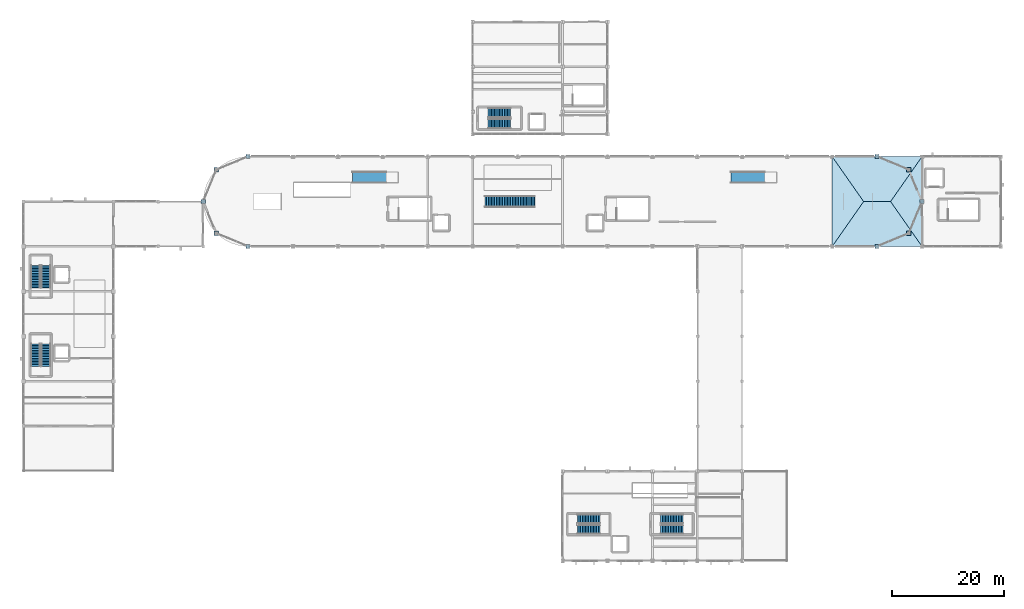
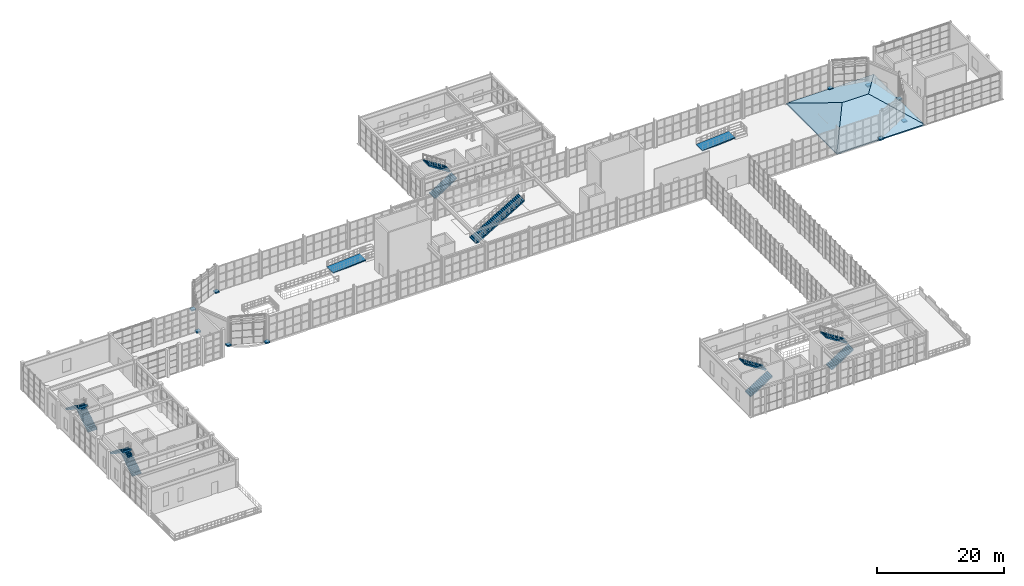
# One storey, part 71 of 82: 11 stair flights, 10 discrete accessories, 2 ramp flights, 1 roof, 8 elements without a shape of their own.
"""IFC4 building model written with IfcOpenShell, lengths in metres."""

from ifc_helpers import new_model, si_unit, direction, frame, origin, origin_2d, place, context, subcontext, project, spatial, polyline, rectangle, outline, extrude, polygons, material, layer, layer_set, type_object, element, aggregate, save


model = new_model("IFC4")

# Units and contexts
model_context = context("Model", 3, precision=1e-05, world=origin(), true_north=direction((0.0, 1.0)))
body_context = subcontext(model_context, "Body", "Model", "MODEL_VIEW")
ifc_project = project(units=[si_unit("LENGTHUNIT", "METRE"), si_unit("AREAUNIT", "SQUARE_METRE"), si_unit("VOLUMEUNIT", "CUBIC_METRE"), si_unit("PLANEANGLEUNIT", "RADIAN"), si_unit("MASSUNIT", "GRAM", prefix="KILO")], contexts=[model_context])

# Site, building, storey
site_placement = place(None, origin())
site = spatial("IfcSite", under=ifc_project, at=site_placement, CompositionType="ELEMENT")
building_placement = place(site_placement, origin())
building = spatial("IfcBuilding", under=site, at=building_placement, Name="Serraluz Foothill Cableway Terminal", CompositionType="ELEMENT")
storey_placement = place(building_placement, frame((0.0, 0.0, 9.60009765625)))
storey = spatial("IfcBuildingStorey", under=building, at=storey_placement, Name="L02", CompositionType="ELEMENT", Elevation=9.60009765625)

# Stair, stair flights
ifc_material_1 = material(Name="Concrete C35/45 (f'c 35 MPa)", Category="concrete")
stair_type_1 = type_object("IfcStairType", Name="TYP-ST-DOG-166-54", PredefinedType="HALF_TURN_STAIR", material=ifc_material_1)
stair_1_placement = place(storey_placement, origin())
stair_1 = element("IfcStair", 1, at=stair_1_placement, inside=storey, type_object=stair_type_1, Name="L02 ST-01", PredefinedType="HALF_TURN_STAIR")
stair_flight_type_1 = type_object("IfcStairFlightType", Name="TYP-FL-DOG-166-54", PredefinedType="STRAIGHT", material=ifc_material_1)
stair_flight_1_placement = place(storey_placement, frame((3.969970703125, 48.659912109375, 0.0), z_axis=(0.0, 0.0, 1.0), x_axis=(0.0, 1.0, 0.0)))
stair_flight_1 = element("IfcStairFlight", 2, at=stair_flight_1_placement, type_object=stair_flight_type_1, Name="ST-01 flight 1", NumberOfRisers=15, NumberOfTreads=14, PredefinedType="STRAIGHT", RiserHeight=0.18, TreadLength=0.285, context=body_context, shape_type="SweptSolid", body=[
    extrude(outline(polyline([(-0.02490234375, -0.06005859375), (-0.02490234375, 0.0), (0.0, 0.0), (0.0, 0.179931640625), (0.284912109375, 0.179931640625), (0.284912109375, 0.360107421875), (0.570068359375, 0.360107421875), (0.570068359375, 0.5400390625), (0.85498046875, 0.5400390625), (0.85498046875, 0.719970703125), (1.139892578125, 0.719970703125), (1.139892578125, 0.89990234375), (1.425048828125, 0.89990234375), (1.425048828125, 1.080078125), (1.7099609375, 1.080078125), (1.7099609375, 1.260009765625), (1.9951171875, 1.260009765625), (1.9951171875, 1.43994140625), (2.280029296875, 1.43994140625), (2.280029296875, 1.6201171875), (2.56494140625, 1.6201171875), (2.56494140625, 1.800048828125), (2.85009765625, 1.800048828125), (2.85009765625, 1.97998046875), (3.135009765625, 1.97998046875), (3.135009765625, 2.159912109375), (3.419921875, 2.159912109375), (3.419921875, 2.340087890625), (3.705078125, 2.340087890625), (3.705078125, 2.52001953125), (3.989990234375, 2.52001953125), (3.989990234375, 2.699951171875), (4.014892578125, 2.699951171875), (4.014892578125, 2.3427734375), (0.28076171875, -0.06005859375), (-0.02490234375, -0.06005859375)])), frame((0.0, 0.830078125, 0.0), z_axis=(0.0, -1.0, 0.0), x_axis=(1.0, 0.0, 0.0)), (0.0, 0.0, 1.0), 1.659912109375),
])
stair_flight_2_placement = place(storey_placement, frame((2.14990234375, 52.64990234375, 2.699951171875), z_axis=(0.0, 0.0, 1.0), x_axis=(0.0, -1.0, 0.0)))
stair_flight_2 = element("IfcStairFlight", 3, at=stair_flight_2_placement, type_object=stair_flight_type_1, Name="ST-01 flight 2", NumberOfRisers=15, NumberOfTreads=14, PredefinedType="STRAIGHT", RiserHeight=0.18, TreadLength=0.285, context=body_context, shape_type="SweptSolid", body=[
    extrude(outline(polyline([(-0.02490234375, -0.06005859375), (-0.02490234375, 0.0), (0.0, 0.0), (0.0, 0.179931640625), (0.284912109375, 0.179931640625), (0.284912109375, 0.360107421875), (0.570068359375, 0.360107421875), (0.570068359375, 0.5400390625), (0.85498046875, 0.5400390625), (0.85498046875, 0.719970703125), (1.139892578125, 0.719970703125), (1.139892578125, 0.89990234375), (1.425048828125, 0.89990234375), (1.425048828125, 1.080078125), (1.7099609375, 1.080078125), (1.7099609375, 1.260009765625), (1.9951171875, 1.260009765625), (1.9951171875, 1.43994140625), (2.280029296875, 1.43994140625), (2.280029296875, 1.6201171875), (2.56494140625, 1.6201171875), (2.56494140625, 1.800048828125), (2.85009765625, 1.800048828125), (2.85009765625, 1.97998046875), (3.135009765625, 1.97998046875), (3.135009765625, 2.159912109375), (3.419921875, 2.159912109375), (3.419921875, 2.340087890625), (3.705078125, 2.340087890625), (3.705078125, 2.52001953125), (3.989990234375, 2.52001953125), (3.989990234375, 2.699951171875), (4.014892578125, 2.699951171875), (4.014892578125, 2.3427734375), (0.28076171875, -0.06005859375), (-0.02490234375, -0.06005859375)])), frame((0.0, 0.830078125, 0.0), z_axis=(0.0, -1.0, 0.0), x_axis=(1.0, 0.0, 0.0)), (0.0, 0.0, 1.0), 1.659912109375),
])
aggregate(stair_1, [stair_flight_1, stair_flight_2])

stair_2_placement = place(storey_placement, origin())
stair_2 = element("IfcStair", 4, at=stair_2_placement, inside=storey, type_object=stair_type_1, Name="L02 ST-02", PredefinedType="HALF_TURN_STAIR")
stair_flight_3_placement = place(storey_placement, frame((3.969970703125, 34.659912109375, 0.0), z_axis=(0.0, 0.0, 1.0), x_axis=(0.0, 1.0, 0.0)))
stair_flight_3 = element("IfcStairFlight", 5, at=stair_flight_3_placement, type_object=stair_flight_type_1, Name="ST-02 flight 1", NumberOfRisers=15, NumberOfTreads=14, PredefinedType="STRAIGHT", RiserHeight=0.18, TreadLength=0.285, context=body_context, shape_type="SweptSolid", body=[
    extrude(outline(polyline([(-0.02490234375, -0.06005859375), (-0.02490234375, 0.0), (0.0, 0.0), (0.0, 0.179931640625), (0.284912109375, 0.179931640625), (0.284912109375, 0.360107421875), (0.570068359375, 0.360107421875), (0.570068359375, 0.5400390625), (0.85498046875, 0.5400390625), (0.85498046875, 0.719970703125), (1.139892578125, 0.719970703125), (1.139892578125, 0.89990234375), (1.425048828125, 0.89990234375), (1.425048828125, 1.080078125), (1.7099609375, 1.080078125), (1.7099609375, 1.260009765625), (1.9951171875, 1.260009765625), (1.9951171875, 1.43994140625), (2.280029296875, 1.43994140625), (2.280029296875, 1.6201171875), (2.56494140625, 1.6201171875), (2.56494140625, 1.800048828125), (2.85009765625, 1.800048828125), (2.85009765625, 1.97998046875), (3.135009765625, 1.97998046875), (3.135009765625, 2.159912109375), (3.419921875, 2.159912109375), (3.419921875, 2.340087890625), (3.705078125, 2.340087890625), (3.705078125, 2.52001953125), (3.989990234375, 2.52001953125), (3.989990234375, 2.699951171875), (4.014892578125, 2.699951171875), (4.014892578125, 2.3427734375), (0.28076171875, -0.06005859375), (-0.02490234375, -0.06005859375)])), frame((0.0, 0.830078125, 0.0), z_axis=(0.0, -1.0, 0.0), x_axis=(1.0, 0.0, 0.0)), (0.0, 0.0, 1.0), 1.659912109375),
])
stair_flight_4_placement = place(storey_placement, frame((2.14990234375, 38.64990234375, 2.699951171875), z_axis=(0.0, 0.0, 1.0), x_axis=(0.0, -1.0, 0.0)))
stair_flight_4 = element("IfcStairFlight", 6, at=stair_flight_4_placement, type_object=stair_flight_type_1, Name="ST-02 flight 2", NumberOfRisers=15, NumberOfTreads=14, PredefinedType="STRAIGHT", RiserHeight=0.18, TreadLength=0.285, context=body_context, shape_type="SweptSolid", body=[
    extrude(outline(polyline([(-0.02490234375, -0.06005859375), (-0.02490234375, 0.0), (0.0, 0.0), (0.0, 0.179931640625), (0.284912109375, 0.179931640625), (0.284912109375, 0.360107421875), (0.570068359375, 0.360107421875), (0.570068359375, 0.5400390625), (0.85498046875, 0.5400390625), (0.85498046875, 0.719970703125), (1.139892578125, 0.719970703125), (1.139892578125, 0.89990234375), (1.425048828125, 0.89990234375), (1.425048828125, 1.080078125), (1.7099609375, 1.080078125), (1.7099609375, 1.260009765625), (1.9951171875, 1.260009765625), (1.9951171875, 1.43994140625), (2.280029296875, 1.43994140625), (2.280029296875, 1.6201171875), (2.56494140625, 1.6201171875), (2.56494140625, 1.800048828125), (2.85009765625, 1.800048828125), (2.85009765625, 1.97998046875), (3.135009765625, 1.97998046875), (3.135009765625, 2.159912109375), (3.419921875, 2.159912109375), (3.419921875, 2.340087890625), (3.705078125, 2.340087890625), (3.705078125, 2.52001953125), (3.989990234375, 2.52001953125), (3.989990234375, 2.699951171875), (4.014892578125, 2.699951171875), (4.014892578125, 2.3427734375), (0.28076171875, -0.06005859375), (-0.02490234375, -0.06005859375)])), frame((0.0, 0.830078125, 0.0), z_axis=(0.0, -1.0, 0.0), x_axis=(1.0, 0.0, 0.0)), (0.0, 0.0, 1.0), 1.659912109375),
])
aggregate(stair_2, [stair_flight_3, stair_flight_4])

stair_3_placement = place(storey_placement, origin())
stair_3 = element("IfcStair", 7, at=stair_3_placement, inside=storey, type_object=stair_type_1, Name="L02 ST-06", PredefinedType="HALF_TURN_STAIR")
stair_flight_5_placement = place(storey_placement, frame((98.659912109375, 5.6298828125, 0.0), z_axis=(0.0, 0.0, 1.0), x_axis=(1.0, 0.0, 0.0)))
stair_flight_5 = element("IfcStairFlight", 8, at=stair_flight_5_placement, type_object=stair_flight_type_1, Name="ST-06 flight 1", NumberOfRisers=15, NumberOfTreads=14, PredefinedType="STRAIGHT", RiserHeight=0.18, TreadLength=0.285, context=body_context, shape_type="SweptSolid", body=[
    extrude(outline(polyline([(-0.02490234375, -0.06005859375), (-0.02490234375, 0.0), (0.0, 0.0), (0.0, 0.179931640625), (0.284912109375, 0.179931640625), (0.284912109375, 0.360107421875), (0.570068359375, 0.360107421875), (0.570068359375, 0.5400390625), (0.85498046875, 0.5400390625), (0.85498046875, 0.719970703125), (1.139892578125, 0.719970703125), (1.139892578125, 0.89990234375), (1.425048828125, 0.89990234375), (1.425048828125, 1.080078125), (1.7099609375, 1.080078125), (1.7099609375, 1.260009765625), (1.9951171875, 1.260009765625), (1.9951171875, 1.43994140625), (2.280029296875, 1.43994140625), (2.280029296875, 1.6201171875), (2.56494140625, 1.6201171875), (2.56494140625, 1.800048828125), (2.85009765625, 1.800048828125), (2.85009765625, 1.97998046875), (3.135009765625, 1.97998046875), (3.135009765625, 2.159912109375), (3.419921875, 2.159912109375), (3.419921875, 2.340087890625), (3.705078125, 2.340087890625), (3.705078125, 2.52001953125), (3.989990234375, 2.52001953125), (3.989990234375, 2.699951171875), (4.014892578125, 2.699951171875), (4.014892578125, 2.3427734375), (0.28076171875, -0.06005859375), (-0.02490234375, -0.06005859375)])), frame((0.0, 0.830078125, 0.0), z_axis=(0.0, -1.0, 0.0), x_axis=(1.0, 0.0, 0.0)), (0.0, 0.0, 1.0), 1.659912109375),
])
stair_flight_6_placement = place(storey_placement, frame((102.64990234375, 7.449951171875, 2.699951171875), z_axis=(0.0, 0.0, 1.0), x_axis=(-1.0, 0.0, 0.0)))
stair_flight_6 = element("IfcStairFlight", 9, at=stair_flight_6_placement, type_object=stair_flight_type_1, Name="ST-06 flight 2", NumberOfRisers=15, NumberOfTreads=14, PredefinedType="STRAIGHT", RiserHeight=0.18, TreadLength=0.285, context=body_context, shape_type="SweptSolid", body=[
    extrude(outline(polyline([(-0.02490234375, -0.06005859375), (-0.02490234375, 0.0), (0.0, 0.0), (0.0, 0.179931640625), (0.284912109375, 0.179931640625), (0.284912109375, 0.360107421875), (0.570068359375, 0.360107421875), (0.570068359375, 0.5400390625), (0.85498046875, 0.5400390625), (0.85498046875, 0.719970703125), (1.139892578125, 0.719970703125), (1.139892578125, 0.89990234375), (1.425048828125, 0.89990234375), (1.425048828125, 1.080078125), (1.7099609375, 1.080078125), (1.7099609375, 1.260009765625), (1.9951171875, 1.260009765625), (1.9951171875, 1.43994140625), (2.280029296875, 1.43994140625), (2.280029296875, 1.6201171875), (2.56494140625, 1.6201171875), (2.56494140625, 1.800048828125), (2.85009765625, 1.800048828125), (2.85009765625, 1.97998046875), (3.135009765625, 1.97998046875), (3.135009765625, 2.159912109375), (3.419921875, 2.159912109375), (3.419921875, 2.340087890625), (3.705078125, 2.340087890625), (3.705078125, 2.52001953125), (3.989990234375, 2.52001953125), (3.989990234375, 2.699951171875), (4.014892578125, 2.699951171875), (4.014892578125, 2.3427734375), (0.28076171875, -0.06005859375), (-0.02490234375, -0.06005859375)])), frame((0.0, 0.830078125, 0.0), z_axis=(0.0, -1.0, 0.0), x_axis=(1.0, 0.0, 0.0)), (0.0, 0.0, 1.0), 1.659912109375),
])
aggregate(stair_3, [stair_flight_5, stair_flight_6])

stair_4_placement = place(storey_placement, origin())
stair_4 = element("IfcStair", 10, at=stair_4_placement, inside=storey, type_object=stair_type_1, Name="L02 ST-07", PredefinedType="HALF_TURN_STAIR")
stair_flight_7_placement = place(storey_placement, frame((113.4599609375, 5.6298828125, 0.0), z_axis=(0.0, 0.0, 1.0), x_axis=(1.0, 0.0, 0.0)))
stair_flight_7 = element("IfcStairFlight", 11, at=stair_flight_7_placement, type_object=stair_flight_type_1, Name="ST-07 flight 1", NumberOfRisers=15, NumberOfTreads=14, PredefinedType="STRAIGHT", RiserHeight=0.18, TreadLength=0.285, context=body_context, shape_type="SweptSolid", body=[
    extrude(outline(polyline([(-0.02490234375, -0.06005859375), (-0.02490234375, 0.0), (0.0, 0.0), (0.0, 0.179931640625), (0.284912109375, 0.179931640625), (0.284912109375, 0.360107421875), (0.570068359375, 0.360107421875), (0.570068359375, 0.5400390625), (0.85498046875, 0.5400390625), (0.85498046875, 0.719970703125), (1.139892578125, 0.719970703125), (1.139892578125, 0.89990234375), (1.425048828125, 0.89990234375), (1.425048828125, 1.080078125), (1.7099609375, 1.080078125), (1.7099609375, 1.260009765625), (1.9951171875, 1.260009765625), (1.9951171875, 1.43994140625), (2.280029296875, 1.43994140625), (2.280029296875, 1.6201171875), (2.56494140625, 1.6201171875), (2.56494140625, 1.800048828125), (2.85009765625, 1.800048828125), (2.85009765625, 1.97998046875), (3.135009765625, 1.97998046875), (3.135009765625, 2.159912109375), (3.419921875, 2.159912109375), (3.419921875, 2.340087890625), (3.705078125, 2.340087890625), (3.705078125, 2.52001953125), (3.989990234375, 2.52001953125), (3.989990234375, 2.699951171875), (4.014892578125, 2.699951171875), (4.014892578125, 2.3427734375), (0.28076171875, -0.06005859375), (-0.02490234375, -0.06005859375)])), frame((0.0, 0.830078125, 0.0), z_axis=(0.0, -1.0, 0.0), x_axis=(1.0, 0.0, 0.0)), (0.0, 0.0, 1.0), 1.659912109375),
])
stair_flight_8_placement = place(storey_placement, frame((117.449951171875, 7.449951171875, 2.699951171875), z_axis=(0.0, 0.0, 1.0), x_axis=(-1.0, 0.0, 0.0)))
stair_flight_8 = element("IfcStairFlight", 12, at=stair_flight_8_placement, type_object=stair_flight_type_1, Name="ST-07 flight 2", NumberOfRisers=15, NumberOfTreads=14, PredefinedType="STRAIGHT", RiserHeight=0.18, TreadLength=0.285, context=body_context, shape_type="SweptSolid", body=[
    extrude(outline(polyline([(-0.02490234375, -0.06005859375), (-0.02490234375, 0.0), (0.0, 0.0), (0.0, 0.179931640625), (0.284912109375, 0.179931640625), (0.284912109375, 0.360107421875), (0.570068359375, 0.360107421875), (0.570068359375, 0.5400390625), (0.85498046875, 0.5400390625), (0.85498046875, 0.719970703125), (1.139892578125, 0.719970703125), (1.139892578125, 0.89990234375), (1.425048828125, 0.89990234375), (1.425048828125, 1.080078125), (1.7099609375, 1.080078125), (1.7099609375, 1.260009765625), (1.9951171875, 1.260009765625), (1.9951171875, 1.43994140625), (2.280029296875, 1.43994140625), (2.280029296875, 1.6201171875), (2.56494140625, 1.6201171875), (2.56494140625, 1.800048828125), (2.85009765625, 1.800048828125), (2.85009765625, 1.97998046875), (3.135009765625, 1.97998046875), (3.135009765625, 2.159912109375), (3.419921875, 2.159912109375), (3.419921875, 2.340087890625), (3.705078125, 2.340087890625), (3.705078125, 2.52001953125), (3.989990234375, 2.52001953125), (3.989990234375, 2.699951171875), (4.014892578125, 2.699951171875), (4.014892578125, 2.3427734375), (0.28076171875, -0.06005859375), (-0.02490234375, -0.06005859375)])), frame((0.0, 0.830078125, 0.0), z_axis=(0.0, -1.0, 0.0), x_axis=(1.0, 0.0, 0.0)), (0.0, 0.0, 1.0), 1.659912109375),
])
aggregate(stair_4, [stair_flight_7, stair_flight_8])

stair_type_2 = type_object("IfcStairType", Name="TYP-ST-DOG-176-54", PredefinedType="HALF_TURN_STAIR", material=ifc_material_1)
stair_5_placement = place(storey_placement, origin())
stair_5 = element("IfcStair", 13, at=stair_5_placement, inside=storey, type_object=stair_type_2, Name="L02 ST-08", PredefinedType="HALF_TURN_STAIR")
stair_flight_type_2 = type_object("IfcStairFlightType", Name="TYP-FL-DOG-176-54", PredefinedType="STRAIGHT", material=ifc_material_1)
stair_flight_9_placement = place(storey_placement, frame((82.760009765625, 77.8798828125, 0.0), z_axis=(0.0, 0.0, 1.0), x_axis=(1.0, 0.0, 0.0)))
stair_flight_9 = element("IfcStairFlight", 14, at=stair_flight_9_placement, type_object=stair_flight_type_2, Name="ST-08 flight 1", NumberOfRisers=15, NumberOfTreads=14, PredefinedType="STRAIGHT", RiserHeight=0.18, TreadLength=0.285, context=body_context, shape_type="SweptSolid", body=[
    extrude(outline(polyline([(-0.02490234375, -0.06005859375), (-0.02490234375, 0.0), (0.0, 0.0), (0.0, 0.179931640625), (0.284912109375, 0.179931640625), (0.284912109375, 0.360107421875), (0.570068359375, 0.360107421875), (0.570068359375, 0.5400390625), (0.85498046875, 0.5400390625), (0.85498046875, 0.719970703125), (1.139892578125, 0.719970703125), (1.139892578125, 0.89990234375), (1.425048828125, 0.89990234375), (1.425048828125, 1.080078125), (1.7099609375, 1.080078125), (1.7099609375, 1.260009765625), (1.9951171875, 1.260009765625), (1.9951171875, 1.43994140625), (2.280029296875, 1.43994140625), (2.280029296875, 1.6201171875), (2.56494140625, 1.6201171875), (2.56494140625, 1.800048828125), (2.85009765625, 1.800048828125), (2.85009765625, 1.97998046875), (3.135009765625, 1.97998046875), (3.135009765625, 2.159912109375), (3.419921875, 2.159912109375), (3.419921875, 2.340087890625), (3.705078125, 2.340087890625), (3.705078125, 2.52001953125), (3.989990234375, 2.52001953125), (3.989990234375, 2.699951171875), (4.014892578125, 2.699951171875), (4.014892578125, 2.3427734375), (0.28076171875, -0.06005859375), (-0.02490234375, -0.06005859375)])), frame((0.0, 0.8798828125, 0.0), z_axis=(0.0, -1.0, 0.0), x_axis=(1.0, 0.0, 0.0)), (0.0, 0.0, 1.0), 1.760009765625),
])
stair_flight_10_placement = place(storey_placement, frame((86.75, 79.800048828125, 2.699951171875), z_axis=(0.0, 0.0, 1.0), x_axis=(-1.0, 0.0, 0.0)))
stair_flight_10 = element("IfcStairFlight", 15, at=stair_flight_10_placement, type_object=stair_flight_type_2, Name="ST-08 flight 2", NumberOfRisers=15, NumberOfTreads=14, PredefinedType="STRAIGHT", RiserHeight=0.18, TreadLength=0.285, context=body_context, shape_type="SweptSolid", body=[
    extrude(outline(polyline([(-0.02490234375, -0.06005859375), (-0.02490234375, 0.0), (0.0, 0.0), (0.0, 0.179931640625), (0.284912109375, 0.179931640625), (0.284912109375, 0.360107421875), (0.570068359375, 0.360107421875), (0.570068359375, 0.5400390625), (0.85498046875, 0.5400390625), (0.85498046875, 0.719970703125), (1.139892578125, 0.719970703125), (1.139892578125, 0.89990234375), (1.425048828125, 0.89990234375), (1.425048828125, 1.080078125), (1.7099609375, 1.080078125), (1.7099609375, 1.260009765625), (1.9951171875, 1.260009765625), (1.9951171875, 1.43994140625), (2.280029296875, 1.43994140625), (2.280029296875, 1.6201171875), (2.56494140625, 1.6201171875), (2.56494140625, 1.800048828125), (2.85009765625, 1.800048828125), (2.85009765625, 1.97998046875), (3.135009765625, 1.97998046875), (3.135009765625, 2.159912109375), (3.419921875, 2.159912109375), (3.419921875, 2.340087890625), (3.705078125, 2.340087890625), (3.705078125, 2.52001953125), (3.989990234375, 2.52001953125), (3.989990234375, 2.699951171875), (4.014892578125, 2.699951171875), (4.014892578125, 2.3427734375), (0.28076171875, -0.06005859375), (-0.02490234375, -0.06005859375)])), frame((0.0, 0.8798828125, 0.0), z_axis=(0.0, -1.0, 0.0), x_axis=(1.0, 0.0, 0.0)), (0.0, 0.0, 1.0), 1.760009765625),
])
aggregate(stair_5, [stair_flight_9, stair_flight_10])

# Stair, stair flight
ifc_material_2 = material(Name="Steel ASTM A992 Grade 50", Category="steel")
stair_type_3 = type_object("IfcStairType", Name="TYP-ST-STR-200", PredefinedType="STRAIGHT_RUN_STAIR", material=ifc_material_2)
stair_6_placement = place(storey_placement, origin())
stair_6 = element("IfcStair", 16, at=stair_6_placement, inside=storey, type_object=stair_type_3, Name="Feature Straight Stair ST-F03", PredefinedType="STRAIGHT_RUN_STAIR")
stair_flight_type_3 = type_object("IfcStairFlightType", Name="TYP-FL-STR-200", PredefinedType="STRAIGHT", material=ifc_material_2)
stair_flight_11_placement = place(storey_placement, frame((82.199951171875, 64.0, 0.0), z_axis=(0.0, 0.0, 1.0), x_axis=(1.0, 0.0, 0.0)))
stair_flight_11 = element("IfcStairFlight", 17, at=stair_flight_11_placement, type_object=stair_flight_type_3, Name="STS-200 flight 1", NumberOfRisers=32, NumberOfTreads=31, PredefinedType="STRAIGHT", RiserHeight=0.16875, TreadLength=0.284516, context=body_context, shape_type="SweptSolid", body=[
    extrude(outline(polyline([(-0.02490234375, -0.06005859375), (-0.02490234375, 0.0), (0.0, 0.0), (0.0, 0.168701171875), (0.284423828125, 0.168701171875), (0.284423828125, 0.33740234375), (0.569091796875, 0.33740234375), (0.569091796875, 0.50634765625), (0.853515625, 0.50634765625), (0.853515625, 0.675048828125), (1.13818359375, 0.675048828125), (1.13818359375, 0.84375), (1.422607421875, 0.84375), (1.422607421875, 1.012451171875), (1.70703125, 1.012451171875), (1.70703125, 1.18115234375), (1.99169921875, 1.18115234375), (1.99169921875, 1.35009765625), (2.276123046875, 1.35009765625), (2.276123046875, 1.518798828125), (2.560546875, 1.518798828125), (2.560546875, 1.6875), (2.84521484375, 1.6875), (2.84521484375, 1.856201171875), (3.129638671875, 1.856201171875), (3.129638671875, 2.02490234375), (3.414306640625, 2.02490234375), (3.414306640625, 2.19384765625), (3.69873046875, 2.19384765625), (3.69873046875, 2.362548828125), (3.983154296875, 2.362548828125), (3.983154296875, 2.53125), (4.267822265625, 2.53125), (4.267822265625, 2.699951171875), (4.55224609375, 2.699951171875), (4.55224609375, 2.86865234375), (4.836669921875, 2.86865234375), (4.836669921875, 3.03759765625), (5.121337890625, 3.03759765625), (5.121337890625, 3.206298828125), (5.40576171875, 3.206298828125), (5.40576171875, 3.375), (5.6904296875, 3.375), (5.6904296875, 3.543701171875), (5.974853515625, 3.543701171875), (5.974853515625, 3.71240234375), (6.25927734375, 3.71240234375), (6.25927734375, 3.88134765625), (6.5439453125, 3.88134765625), (6.5439453125, 4.050048828125), (6.828369140625, 4.050048828125), (6.828369140625, 4.21875), (7.11279296875, 4.21875), (7.11279296875, 4.387451171875), (7.3974609375, 4.387451171875), (7.3974609375, 4.55615234375), (7.681884765625, 4.55615234375), (7.681884765625, 4.72509765625), (7.966552734375, 4.72509765625), (7.966552734375, 4.893798828125), (8.2509765625, 4.893798828125), (8.2509765625, 5.0625), (8.535400390625, 5.0625), (8.535400390625, 5.231201171875), (8.820068359375, 5.231201171875), (8.820068359375, 5.39990234375), (8.844970703125, 5.39990234375), (8.844970703125, 5.039306640625), (0.323486328125, -0.06005859375), (-0.02490234375, -0.06005859375)])), frame((0.0, 1.0, 0.0), z_axis=(0.0, -1.0, 0.0), x_axis=(1.0, 0.0, 0.0)), (0.0, 0.0, 1.0), 2.0),
])
aggregate(stair_6, [stair_flight_11])

# Ramp, ramp flight
ifc_material_3 = material(Name="Concrete C28/35 (f'c 28 MPa)", Category="concrete")
ramp_type = type_object("IfcRampType", Name="TYP-RMP-PED-200", PredefinedType="STRAIGHT_RUN_RAMP", material=ifc_material_3)
ramp_1_placement = place(storey_placement, origin())
ramp_1 = element("IfcRamp", 18, at=ramp_1_placement, inside=storey, type_object=ramp_type, Name="Departure Boarding Platform Accessible Ramp RMP-05", PredefinedType="STRAIGHT_RUN_RAMP")
ifc_layer_1 = layer(ifc_material_3, 0.199951171875, Name="Concrete C28/35 (f'c 28 MPa)", Category="concrete")
ifc_layer_set_1 = layer_set([ifc_layer_1], Name="Concrete C28/35 (f'c 28 MPa)")
ramp_flight_type = type_object("IfcRampFlightType", Name="TYP-RFL-PED-200", PredefinedType="STRAIGHT", material=ifc_layer_set_1)
ramp_flight_1_placement = place(storey_placement, frame((58.60009765625, 68.300048828125, 0.0), z_axis=(0.0, 0.0, 1.0), x_axis=(1.0, 0.0, 0.0)))
ramp_flight_1 = element("IfcRampFlight", 19, at=ramp_flight_1_placement, type_object=ramp_flight_type, Name="Departure Boarding Platform Accessible Ramp RMP-05 flight 1", PredefinedType="STRAIGHT", context=body_context, shape_type="SweptSolid", body=[
    extrude(outline(polyline([(0.0, -0.200439453125), (6.0, 0.24951171875), (6.0, 0.449951171875), (0.0, 0.0), (0.0, -0.200439453125)])), frame((0.0, 1.0, 0.0), z_axis=(0.0, -1.0, 0.0), x_axis=(1.0, 0.0, 0.0)), (0.0, 0.0, 1.0), 2.0),
])
aggregate(ramp_1, [ramp_flight_1])

ramp_2_placement = place(storey_placement, origin())
ramp_2 = element("IfcRamp", 20, at=ramp_2_placement, inside=storey, type_object=ramp_type, Name="Arrivals Alighting Platform Accessible Ramp RMP-06", PredefinedType="STRAIGHT_RUN_RAMP")
ramp_flight_2_placement = place(storey_placement, frame((126.0, 68.300048828125, 0.0), z_axis=(0.0, 0.0, 1.0), x_axis=(1.0, 0.0, 0.0)))
ramp_flight_2 = element("IfcRampFlight", 21, at=ramp_flight_2_placement, type_object=ramp_flight_type, Name="Arrivals Alighting Platform Accessible Ramp RMP-06 flight 1", PredefinedType="STRAIGHT", context=body_context, shape_type="SweptSolid", body=[
    extrude(outline(polyline([(0.0, -0.200439453125), (6.0, 0.24951171875), (6.0, 0.449951171875), (0.0, 0.0), (0.0, -0.200439453125)])), frame((0.0, 1.0, 0.0), z_axis=(0.0, -1.0, 0.0), x_axis=(1.0, 0.0, 0.0)), (0.0, 0.0, 1.0), 2.0),
])
aggregate(ramp_2, [ramp_flight_2])

# Roof
ifc_material_4 = material(Name="Standing-seam zinc-titanium roof assembly", Category="metal")
ifc_layer_2 = layer(ifc_material_4, 0.219970703125, Name="Standing-seam zinc-titanium roof assembly", Category="metal")
ifc_layer_set_2 = layer_set([ifc_layer_2], Name="Standing-seam zinc-titanium roof assembly")
roof_type = type_object("IfcRoofType", Name="TYP-RF-HIP-220", PredefinedType="HIP_ROOF", material=ifc_layer_set_2)
roof_placement = place(storey_placement, frame((144.0, 56.0, 0.0)))
element("IfcRoof", 22, at=roof_placement, inside=storey, type_object=roof_type, Name="Bullwheel Wing Hipped Roof 1", PredefinedType="HIP_ROOF", context=body_context, shape_type="Tessellation", body=[
    polygons([(0.0, 0.0, 0.0), (16.0, 0.0, 0.0), (16.0, 16.0, 0.0), (0.0, 16.0, 0.0), (5.60009765625, 8.0, 3.0), (10.39990234375, 8.0, 3.0), (0.0, 0.0, -0.219970703125), (16.0, 0.0, -0.219970703125), (16.0, 16.0, -0.219970703125), (0.0, 16.0, -0.219970703125), (5.60009765625, 8.0, 2.780029296875), (10.39990234375, 8.0, 2.780029296875)], [[[1, 2, 6, 5]], [[3, 4, 5, 6]], [[4, 1, 5]], [[2, 3, 6]], [[11, 12, 8, 7]], [[12, 11, 10, 9]], [[11, 7, 10]], [[12, 9, 8]], [[7, 8, 2, 1]], [[8, 9, 3, 2]], [[9, 10, 4, 3]], [[10, 7, 1, 4]]], closed=True),
])

# Discrete accessories
ifc_material_5 = material(Name="Steel ASTM A572 Grade 50", Category="steel")
discrete_accessory_type = type_object("IfcDiscreteAccessoryType", Name="TYP-ACC-BRK-120", PredefinedType="BRACKET", material=ifc_material_5)
for number, where, z_axis, x_axis, name in (
    (23, (40.0, 56.0, -0.025146484375), (0.0, 0.0, 1.0), (1.0, 0.0, 0.0), "Curved Curtain Wall Column Fixing Bracket W-L02-1"),
    (24, (34.343017578125, 58.343017578125, -0.025146484375), (0.0, 0.0, 1.0), (1.0, 0.0, 0.0), "Curved Curtain Wall Column Fixing Bracket W-L02-2"),
    (25, (32.0, 64.0, -0.025146484375), (0.0, 0.0, 1.0), (1.0, 0.0, 0.0), "Curved Curtain Wall Column Fixing Bracket W-L02-3"),
    (26, (34.343017578125, 69.656982421875, -0.025146484375), (0.0, 0.0, 1.0), (1.0, 0.0, 0.0), "Curved Curtain Wall Column Fixing Bracket W-L02-4"),
    (27, (40.0, 72.0, -0.025146484375), (0.0, 0.0, 1.0), (1.0, 0.0, 0.0), "Curved Curtain Wall Column Fixing Bracket W-L02-5"),
    (28, (152.0, 56.0, -0.025146484375), (0.0, 0.0, 1.0), (1.0, 0.0, 0.0), "Curved Curtain Wall Column Fixing Bracket E-L02-1"),
    (29, (157.656982421875, 58.343017578125, -0.025146484375), (0.0, 0.0, 1.0), (1.0, 0.0, 0.0), "Curved Curtain Wall Column Fixing Bracket E-L02-2"),
    (30, (160.0, 64.0, -0.025146484375), (0.0, 0.0, 1.0), (1.0, 0.0, 0.0), "Curved Curtain Wall Column Fixing Bracket E-L02-3"),
    (31, (157.656982421875, 69.656982421875, -0.025146484375), (0.0, 0.0, 1.0), (1.0, 0.0, 0.0), "Curved Curtain Wall Column Fixing Bracket E-L02-4"),
    (32, (152.0, 72.0, -0.025146484375), (0.0, 0.0, 1.0), (1.0, 0.0, 0.0), "Curved Curtain Wall Column Fixing Bracket E-L02-5"),
):
    element("IfcDiscreteAccessory", number, at=place(storey_placement, frame(where, z_axis=z_axis, x_axis=x_axis)), inside=storey, type_object=discrete_accessory_type, Name=name, PredefinedType="BRACKET", context=body_context, shape_type="SweptSolid", body=[
        extrude(rectangle(XDim=0.75, YDim=0.75, at=origin_2d()), origin(), (0.0, 0.0, 1.0), 0.25),
    ])

save(model, "model.ifc")
